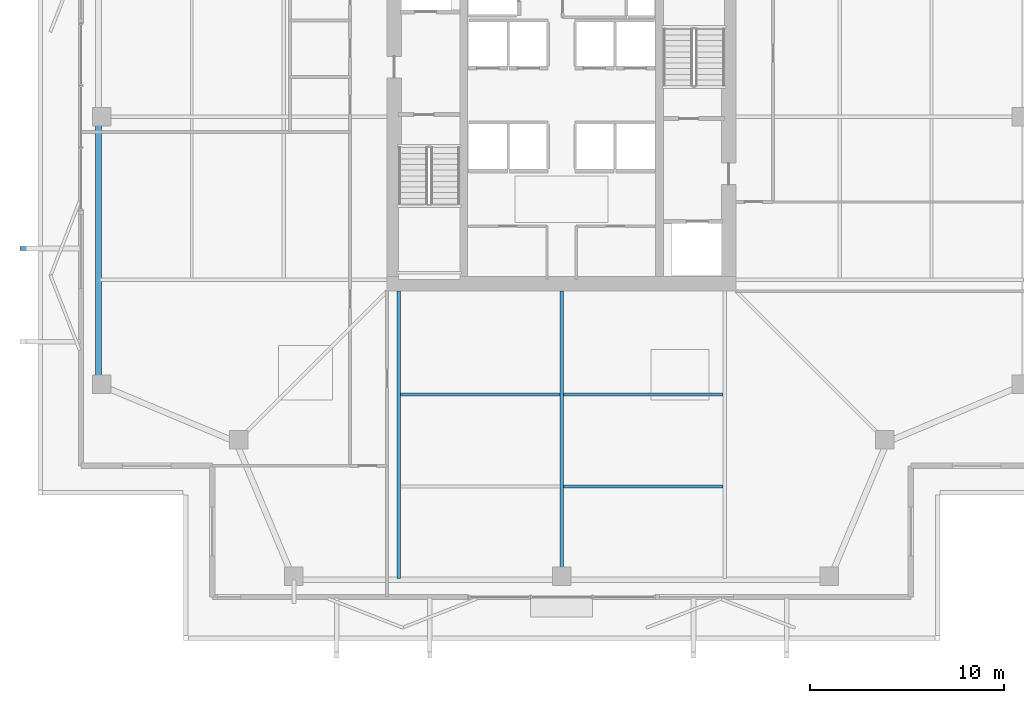
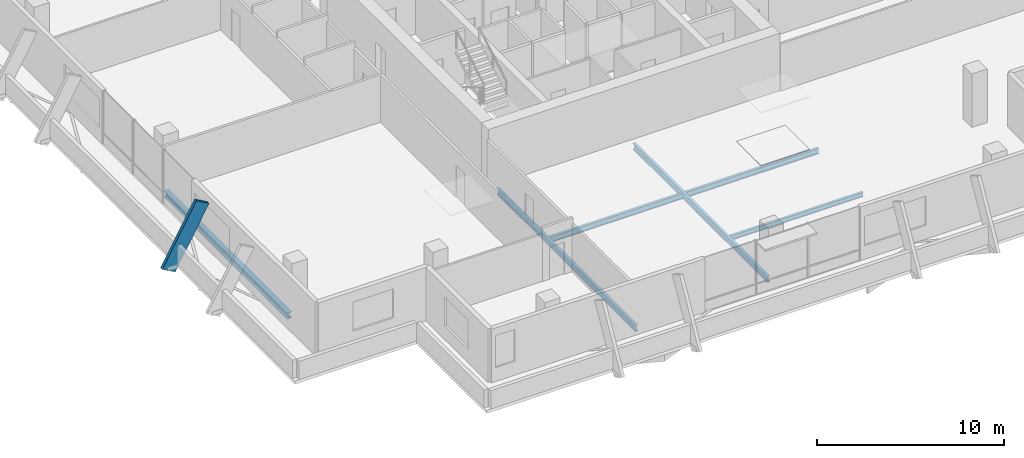
# One storey, part 3 of 17: 6 beams, 1 member.
"""IFC4 building model written with IfcOpenShell, lengths in metres."""

from ifc_helpers import new_model, si_unit, direction, frame, origin, origin_2d, place, context, subcontext, project, spatial, hollow_rectangle, i_section, extrude, material, material_profile, profile_set, type_object, element, save


model = new_model("IFC4")

# Units and contexts
model_context = context("Model", 3, precision=1e-05, world=origin(), true_north=direction((0.0, 1.0)))
body_context = subcontext(model_context, "Body", "Model", "MODEL_VIEW")
ifc_project = project(units=[si_unit("LENGTHUNIT", "METRE"), si_unit("AREAUNIT", "SQUARE_METRE"), si_unit("VOLUMEUNIT", "CUBIC_METRE"), si_unit("PLANEANGLEUNIT", "RADIAN"), si_unit("MASSUNIT", "GRAM", prefix="KILO")], contexts=[model_context])

# Site, building, storey
site_placement = place(None, origin())
site = spatial("IfcSite", under=ifc_project, at=site_placement, CompositionType="ELEMENT")
building_placement = place(site_placement, origin())
building = spatial("IfcBuilding", under=site, at=building_placement, Name="Belovzor Exchange Tower", CompositionType="ELEMENT")
storey_placement = place(building_placement, frame((0.0, 0.0, 246.60009765625)))
storey = spatial("IfcBuildingStorey", under=building, at=storey_placement, Name="L61", CompositionType="ELEMENT", Elevation=246.60009765625)

# Beams
ifc_material_1 = material(Name="Steel S355", Category="steel")
ifc_material_profile_1 = material_profile(ifc_material_1, i_section(OverallWidth=0.169921875, OverallDepth=0.360107421875, WebThickness=0.008056640625, FlangeThickness=0.0126953125, at=origin_2d()))
ifc_profile_set_1 = profile_set([ifc_material_profile_1], Name="Steel S355")
beam_type_1 = type_object("IfcBeamType", Name="Secondary Infill Floor Joist IPE 360", PredefinedType="BEAM", material=ifc_profile_set_1)
beam_1_placement = place(storey_placement, frame((20.489990234375, 14.471923828125, -0.43017578125), z_axis=(1.0, 0.0, 0.0), x_axis=(0.0, 1.0, 0.0)))
element("IfcBeam", 1, at=beam_1_placement, inside=storey, type_object=beam_type_1, Name="FJ-360 Secondary Infill Floor Joist IPE 360", PredefinedType="BEAM", context=body_context, shape_type="SweptSolid", body=[
    extrude(i_section(OverallWidth=0.169921875, OverallDepth=0.360107421875, WebThickness=0.008056640625, FlangeThickness=0.0126953125, at=origin_2d()), origin(), (0.0, 0.0, 1.0), 8.219970703125),
])
beam_2_placement = place(storey_placement, frame((28.889892578125, 14.471923828125, -0.43017578125), z_axis=(1.0, 0.0, 0.0), x_axis=(0.0, 1.0, 0.0)))
element("IfcBeam", 2, at=beam_2_placement, inside=storey, type_object=beam_type_1, Name="FJ-360 Secondary Infill Floor Joist IPE 360", PredefinedType="BEAM", context=body_context, shape_type="SweptSolid", body=[
    extrude(i_section(OverallWidth=0.169921875, OverallDepth=0.360107421875, WebThickness=0.008056640625, FlangeThickness=0.0126953125, at=origin_2d()), origin(), (0.0, 0.0, 1.0), 8.22021484375),
])
ifc_material_2 = material(Name="Steel S355", Category="steel")
ifc_material_profile_2 = material_profile(ifc_material_2, i_section(OverallWidth=0.14990234375, OverallDepth=0.300048828125, WebThickness=0.007080078125, FlangeThickness=0.0107421875, at=origin_2d()))
ifc_profile_set_2 = profile_set([ifc_material_profile_2], Name="Steel S355")
beam_type_2 = type_object("IfcBeamType", Name="Secondary Trim Floor Joist IPE 300", PredefinedType="BEAM", material=ifc_profile_set_2)
beam_3_placement = place(storey_placement, frame((28.889892578125, 9.736083984375, -0.400146484375), z_axis=(1.0, 0.0, 0.0), x_axis=(0.0, 1.0, 0.0)))
element("IfcBeam", 3, at=beam_3_placement, inside=storey, type_object=beam_type_2, Name="FJ-300 Secondary Trim Floor Joist IPE 300", PredefinedType="BEAM", context=body_context, shape_type="SweptSolid", body=[
    extrude(i_section(OverallWidth=0.14990234375, OverallDepth=0.300048828125, WebThickness=0.007080078125, FlangeThickness=0.0107421875, at=origin_2d()), origin(), (0.0, 0.0, 1.0), 8.22021484375),
])

# Member
ifc_material_3 = material(Name="Extruded Architectural Terracotta on Steel S355 Carrier", Category="masonry")
ifc_material_profile_3 = material_profile(ifc_material_3, hollow_rectangle(XDim=0.199951171875, YDim=0.89990234375, WallThickness=0.011962890625, at=origin_2d()))
ifc_profile_set_3 = profile_set([ifc_material_profile_3], Name="Extruded Architectural Terracotta on Steel S355 Carrier")
member_type = type_object("IfcMemberType", Name="Sweeping Terracotta Baguette Fin Assembly 950", PredefinedType="USERDEFINED", material=ifc_profile_set_3)
member_placement = place(storey_placement, frame((1.27490234375, 22.0, -0.25), z_axis=(0.488620665774, 0.0, 0.872496329493), x_axis=(0.0, 1.0, 0.0)))
element("IfcMember", 4, at=member_placement, inside=storey, type_object=member_type, Name="FIN-TC095 Terracotta Facade Fin L61 W2", ObjectType="FIN", PredefinedType="USERDEFINED", context=body_context, shape_type="SweptSolid", body=[
    extrude(hollow_rectangle(XDim=0.199951171875, YDim=0.89990234375, WallThickness=0.011962890625, at=origin_2d()), origin(), (0.0, 0.0, 1.0), 4.298095703125),
])

# Beams
ifc_material_4 = material(Name="Steel S355", Category="steel")
ifc_material_profile_4 = material_profile(ifc_material_4, i_section(OverallWidth=0.300048828125, OverallDepth=0.39990234375, WebThickness=0.013427734375, FlangeThickness=0.02392578125, at=origin_2d()))
ifc_profile_set_4 = profile_set([ifc_material_profile_4], Name="Steel S355")
beam_type_3 = type_object("IfcBeamType", Name="Zone 5 Primary Girder HEB 400", PredefinedType="BEAM", material=ifc_profile_set_4)
beam_4_placement = place(storey_placement, frame((4.925048828125, 28.498046875, -0.4501953125), z_axis=(0.0, -1.0, 0.0), x_axis=(1.0, 0.0, 0.0)))
element("IfcBeam", 5, at=beam_4_placement, inside=storey, type_object=beam_type_3, Name="FG-Z5 Zone 5 Primary Girder HEB 400", PredefinedType="BEAM", context=body_context, shape_type="SweptSolid", body=[
    extrude(i_section(OverallWidth=0.300048828125, OverallDepth=0.39990234375, WebThickness=0.013427734375, FlangeThickness=0.02392578125, at=origin_2d()), origin(), (0.0, 0.0, 1.0), 13.195068359375),
])
ifc_material_5 = material(Name="Steel S355", Category="steel")
ifc_material_profile_5 = material_profile(ifc_material_5, i_section(OverallWidth=0.179931640625, OverallDepth=0.39990234375, WebThickness=0.008544921875, FlangeThickness=0.013427734375, at=origin_2d()))
ifc_profile_set_5 = profile_set([ifc_material_profile_5], Name="Steel S355")
beam_type_4 = type_object("IfcBeamType", Name="Zone 5-6 Radial Composite Floor Beam IPE 400", PredefinedType="BEAM", material=ifc_profile_set_5)
beam_5_placement = place(storey_placement, frame((20.39990234375, 19.800048828125, -0.4501953125), z_axis=(0.0, -1.0, 0.0), x_axis=(1.0, 0.0, 0.0)))
element("IfcBeam", 6, at=beam_5_placement, inside=storey, type_object=beam_type_4, Name="FB-400 Zone 5-6 Radial Composite Floor Beam IPE 400", PredefinedType="BEAM", context=body_context, shape_type="SweptSolid", body=[
    extrude(i_section(OverallWidth=0.179931640625, OverallDepth=0.39990234375, WebThickness=0.008544921875, FlangeThickness=0.013427734375, at=origin_2d()), origin(), (0.0, 0.0, 1.0), 14.800048828125),
])
beam_6_placement = place(storey_placement, frame((28.800048828125, 19.800048828125, -0.4501953125), z_axis=(0.0, -1.0, 0.0), x_axis=(1.0, 0.0, 0.0)))
element("IfcBeam", 7, at=beam_6_placement, inside=storey, type_object=beam_type_4, Name="FB-400 Zone 5-6 Radial Composite Floor Beam IPE 400", PredefinedType="BEAM", context=body_context, shape_type="SweptSolid", body=[
    extrude(i_section(OverallWidth=0.179931640625, OverallDepth=0.39990234375, WebThickness=0.008544921875, FlangeThickness=0.013427734375, at=origin_2d()), origin(), (0.0, 0.0, 1.0), 14.39111328125),
])

save(model, "model.ifc")
